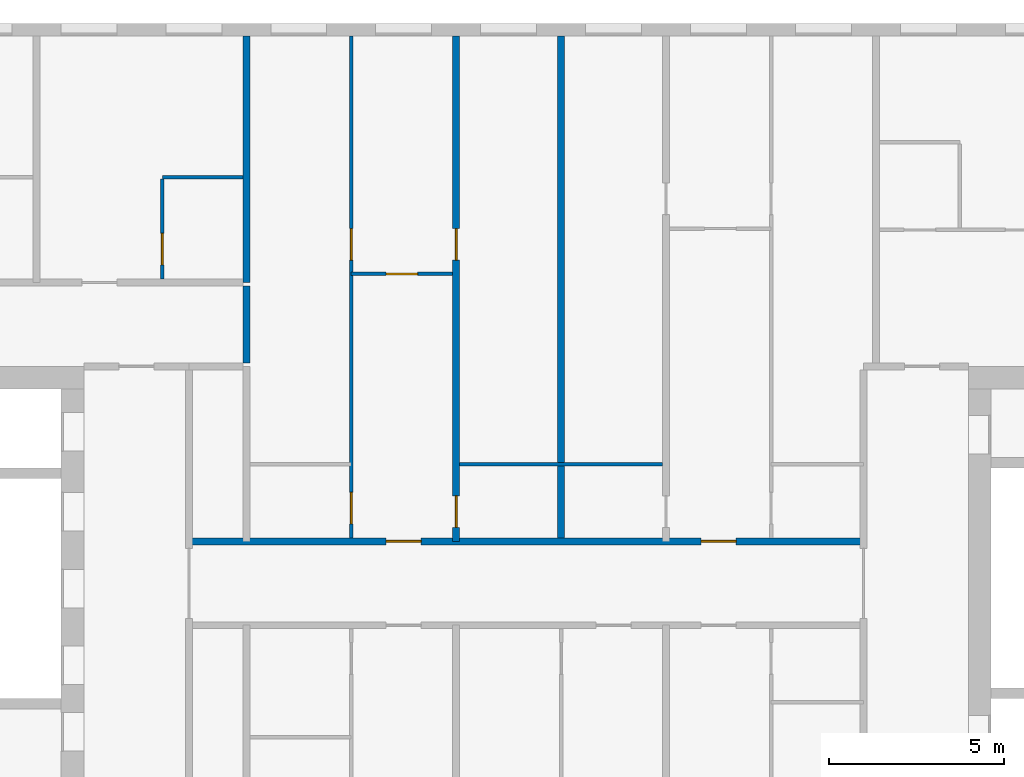
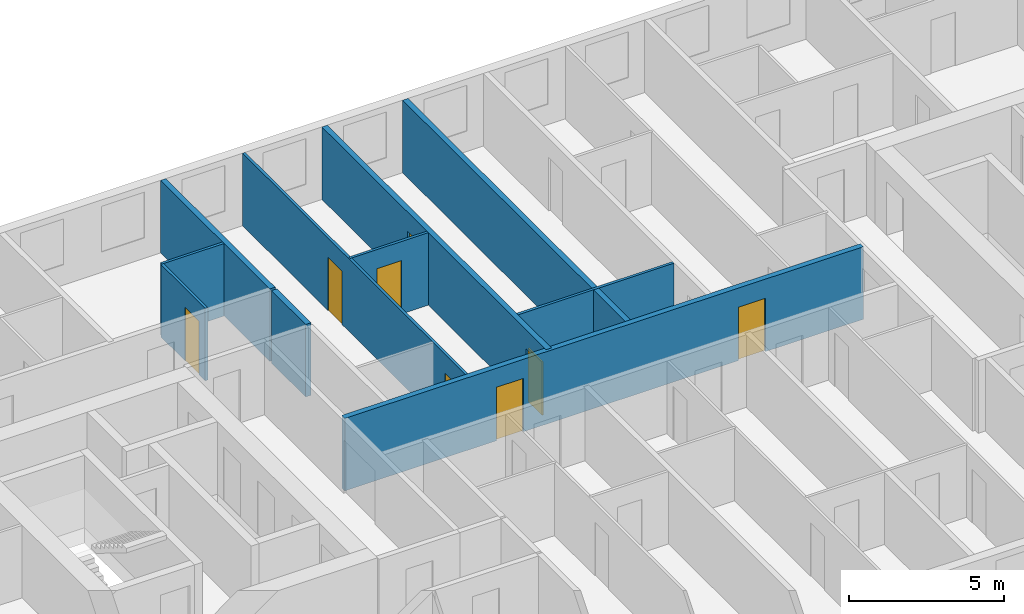
# One storey, part 5 of 16: 10 walls, 8 doors, 8 openings.
"""IFC4 building model written with IfcOpenShell, lengths in metres."""

from ifc_helpers import new_model, si_unit, direction, frame, frame_2d, origin, place, context, subcontext, project, spatial, rectangle, extrude, material, layer, layer_set, type_object, element, fill, save


model = new_model("IFC4")

# Units and contexts
model_context = context("Model", 3, precision=1e-05, world=origin(), true_north=direction((0.0, 1.0)))
body_context = subcontext(model_context, "Body", "Model", "MODEL_VIEW")
ifc_project = project(units=[si_unit("LENGTHUNIT", "METRE"), si_unit("AREAUNIT", "SQUARE_METRE"), si_unit("VOLUMEUNIT", "CUBIC_METRE"), si_unit("PLANEANGLEUNIT", "RADIAN"), si_unit("MASSUNIT", "GRAM", prefix="KILO")], contexts=[model_context])

# Site, building, storey
site_placement = place(None, origin())
site = spatial("IfcSite", under=ifc_project, at=site_placement, CompositionType="ELEMENT")
building_placement = place(site_placement, origin())
building = spatial("IfcBuilding", under=site, at=building_placement, Name="Tuart Gate Housing", CompositionType="ELEMENT")
storey_placement = place(building_placement, frame((0.0, 0.0, 96.39990234375)))
storey = spatial("IfcBuildingStorey", under=building, at=storey_placement, Name="L26", CompositionType="ELEMENT", Elevation=96.39990234375)

# Wall, openings, doors
ifc_material_1 = material(Name="Concrete masonry 15 MPa", Category="masonry")
ifc_layer_1 = layer(ifc_material_1, 0.199951171875)
ifc_layer_set_1 = layer_set([ifc_layer_1], Name="Corridor wall masonry 200")
wall_type_1 = type_object("IfcWallType", Name="Corridor wall masonry 200", PredefinedType="PARTITIONING", material=ifc_layer_set_1)
wall_1_placement = place(storey_placement, frame((44.360107421875, 71.199951171875, 0.0), z_axis=(0.0, 0.0, 1.0), x_axis=(1.0, 0.0, 0.0)))
wall_1 = element("IfcWall", 1, at=wall_1_placement, inside=storey, type_object=wall_type_1, Name="Corridor wall masonry 200", PredefinedType="PARTITIONING", context=body_context, shape_type="SweptSolid", body=[
    extrude(rectangle(XDim=19.27978515625, YDim=0.199951171875, at=frame_2d((9.639892578125, 0.0))), origin(), (0.0, 0.0, 1.0), 2.85009765625),
])
opening_1_placement = place(wall_1_placement, frame((14.639892578125, 0.0, 0.0)))
opening_1 = element("IfcOpeningElement", 2, at=opening_1_placement, cuts=wall_1, Name="Opening D1090", PredefinedType="OPENING", context=body_context, shape_type="SweptSolid", body=[
    extrude(rectangle(XDim=1.0, YDim=2.10009765625, at=frame_2d((0.5, 1.050048828125))), frame((0.0, 0.10986328125, 0.0), z_axis=(0.0, -1.0, 0.0), x_axis=(1.0, 0.0, 0.0)), (0.0, 0.0, 1.0), 0.219970703125),
])
opening_2_placement = place(wall_1_placement, frame((5.639892578125, 0.0, 0.0)))
opening_2 = element("IfcOpeningElement", 3, at=opening_2_placement, cuts=wall_1, Name="Opening D1091", PredefinedType="OPENING", context=body_context, shape_type="SweptSolid", body=[
    extrude(rectangle(XDim=1.0, YDim=2.10009765625, at=frame_2d((0.5, 1.050048828125))), frame((0.0, 0.10986328125, 0.0), z_axis=(0.0, -1.0, 0.0), x_axis=(1.0, 0.0, 0.0)), (0.0, 0.0, 1.0), 0.219970703125),
])
ifc_material_2 = material(Name="Timber door leaf in steel frame", Category="steel")
door_type_1 = type_object("IfcDoorType", Name="Flat entrance door 1000", OperationType="SINGLE_SWING_LEFT", PredefinedType="DOOR", material=ifc_material_2)
door_1_placement = place(opening_1_placement, origin())
door_1 = element("IfcDoor", 4, at=door_1_placement, inside=storey, type_object=door_type_1, Name="Flat entrance door", OperationType="SINGLE_SWING_LEFT", OverallHeight=2.10009765625, OverallWidth=1.0, PredefinedType="DOOR", context=body_context, shape_type="SweptSolid", body=[
    extrude(rectangle(XDim=1.0, YDim=2.10009765625, at=frame_2d((0.5, 1.050048828125))), frame((0.0, 0.02490234375, 0.0), z_axis=(0.0, -1.0, 0.0), x_axis=(1.0, 0.0, 0.0)), (0.0, 0.0, 1.0), 0.050048828125),
])
fill(opening_1, door_1)
door_2_placement = place(opening_2_placement, origin())
door_2 = element("IfcDoor", 5, at=door_2_placement, inside=storey, type_object=door_type_1, Name="Flat entrance door", OperationType="SINGLE_SWING_LEFT", OverallHeight=2.10009765625, OverallWidth=1.0, PredefinedType="DOOR", context=body_context, shape_type="SweptSolid", body=[
    extrude(rectangle(XDim=1.0, YDim=2.10009765625, at=frame_2d((0.5, 1.050048828125))), frame((0.0, 0.02490234375, 0.0), z_axis=(0.0, -1.0, 0.0), x_axis=(1.0, 0.0, 0.0)), (0.0, 0.0, 1.0), 0.050048828125),
])
fill(opening_2, door_2)

# Walls
wall_2_placement = place(storey_placement, frame((46.0, 76.300048828125, 0.0), z_axis=(0.0, 0.0, 1.0), x_axis=(0.0, 1.0, 0.0)))
element("IfcWall", 6, at=wall_2_placement, inside=storey, type_object=wall_type_1, Name="Corridor wall masonry 200", PredefinedType="PARTITIONING", context=body_context, shape_type="SweptSolid", body=[
    extrude(rectangle(XDim=2.199951171875, YDim=0.199951171875, at=frame_2d((1.10009765625, 0.0))), origin(), (0.0, 0.0, 1.0), 2.85009765625),
])
ifc_material_3 = material(Name="Gypsum board on steel studs", Category="steel")
ifc_layer_2 = layer(ifc_material_3, 0.10009765625)
ifc_layer_set_2 = layer_set([ifc_layer_2], Name="Partition 100")
wall_type_2 = type_object("IfcWallType", Name="Partition 100", PredefinedType="PARTITIONING", material=ifc_layer_set_2)
wall_3_placement = place(storey_placement, frame((52.10009765625, 73.39990234375, 0.0), z_axis=(0.0, 0.0, 1.0), x_axis=(1.0, 0.0, 0.0)))
element("IfcWall", 7, at=wall_3_placement, inside=storey, type_object=wall_type_2, Name="Partition 100", PredefinedType="PARTITIONING", context=body_context, shape_type="SweptSolid", body=[
    extrude(rectangle(XDim=5.7998046875, YDim=0.10009765625, at=frame_2d((2.89990234375, 0.0))), origin(), (0.0, 0.0, 1.0), 2.85009765625),
])

# Wall, opening, door
wall_4_placement = place(storey_placement, frame((49.0, 78.840087890625, 0.0), z_axis=(0.0, 0.0, 1.0), x_axis=(1.0, 0.0, 0.0)))
wall_4 = element("IfcWall", 8, at=wall_4_placement, inside=storey, type_object=wall_type_2, Name="Partition 100", PredefinedType="PARTITIONING", context=body_context, shape_type="SweptSolid", body=[
    extrude(rectangle(XDim=2.89990234375, YDim=0.10009765625, at=frame_2d((1.449951171875, 0.0))), origin(), (0.0, 0.0, 1.0), 2.85009765625),
])
opening_3_placement = place(wall_4_placement, frame((1.0, 0.0, 0.0)))
opening_3 = element("IfcOpeningElement", 9, at=opening_3_placement, cuts=wall_4, Name="Opening D1074", PredefinedType="OPENING", context=body_context, shape_type="SweptSolid", body=[
    extrude(rectangle(XDim=0.89990234375, YDim=2.10009765625, at=frame_2d((0.449951171875, 1.050048828125))), frame((0.0, 0.06005859375, 0.0), z_axis=(0.0, -1.0, 0.0), x_axis=(1.0, 0.0, 0.0)), (0.0, 0.0, 1.0), 0.1201171875),
])
ifc_material_4 = material(Name="Timber door leaf in steel frame", Category="steel")
door_type_2 = type_object("IfcDoorType", Name="Internal door 900 RH", OperationType="SINGLE_SWING_RIGHT", PredefinedType="DOOR", material=ifc_material_4)
door_3_placement = place(opening_3_placement, frame((0.89990234375, 0.0, 0.0), z_axis=(0.0, 0.0, 1.0), x_axis=(-1.0, 0.0, 0.0)))
door_3 = element("IfcDoor", 10, at=door_3_placement, inside=storey, type_object=door_type_2, Name="Internal door", OperationType="SINGLE_SWING_RIGHT", OverallHeight=2.10009765625, OverallWidth=0.89990234375, PredefinedType="DOOR", context=body_context, shape_type="SweptSolid", body=[
    extrude(rectangle(XDim=0.89990234375, YDim=2.10009765625, at=frame_2d((0.449951171875, 1.050048828125))), frame((0.0, 0.025146484375, 0.0), z_axis=(0.0, -1.0, 0.0), x_axis=(1.0, 0.0, 0.0)), (0.0, 0.0, 1.0), 0.050048828125),
])
fill(opening_3, door_3)

# Wall
wall_5_placement = place(storey_placement, frame((43.60009765625, 81.60009765625, 0.0), z_axis=(0.0, 0.0, 1.0), x_axis=(1.0, 0.0, 0.0)))
element("IfcWall", 11, at=wall_5_placement, inside=storey, type_object=wall_type_2, Name="Partition 100", PredefinedType="PARTITIONING", context=body_context, shape_type="SweptSolid", body=[
    extrude(rectangle(XDim=2.2998046875, YDim=0.10009765625, at=frame_2d((1.14990234375, 0.0))), origin(), (0.0, 0.0, 1.0), 2.85009765625),
])

# Wall, opening, door
wall_6_placement = place(storey_placement, frame((43.60009765625, 78.699951171875, 0.0), z_axis=(0.0, 0.0, 1.0), x_axis=(0.0, 1.0, 0.0)))
wall_6 = element("IfcWall", 12, at=wall_6_placement, inside=storey, type_object=wall_type_2, Name="Partition 100", PredefinedType="PARTITIONING", context=body_context, shape_type="SweptSolid", body=[
    extrude(rectangle(XDim=2.85009765625, YDim=0.10009765625, at=frame_2d((1.425048828125, 0.0))), origin(), (0.0, 0.0, 1.0), 2.85009765625),
])
opening_4_placement = place(wall_6_placement, frame((0.39990234375, 0.0, 0.0)))
opening_4 = element("IfcOpeningElement", 13, at=opening_4_placement, cuts=wall_6, Name="Opening D1071", PredefinedType="OPENING", context=body_context, shape_type="SweptSolid", body=[
    extrude(rectangle(XDim=0.89990234375, YDim=2.10009765625, at=frame_2d((0.449951171875, 1.050048828125))), frame((0.0, 0.06005859375, 0.0), z_axis=(0.0, -1.0, 0.0), x_axis=(1.0, 0.0, 0.0)), (0.0, 0.0, 1.0), 0.1201171875),
])
ifc_material_5 = material(Name="Timber door leaf in steel frame", Category="steel")
door_type_3 = type_object("IfcDoorType", Name="Bathroom door 900 RH", OperationType="SINGLE_SWING_RIGHT", PredefinedType="DOOR", material=ifc_material_5)
door_4_placement = place(opening_4_placement, frame((0.89990234375, 0.0, 0.0), z_axis=(0.0, 0.0, 1.0), x_axis=(-1.0, 0.0, 0.0)))
door_4 = element("IfcDoor", 14, at=door_4_placement, inside=storey, type_object=door_type_3, Name="Bathroom door", OperationType="SINGLE_SWING_RIGHT", OverallHeight=2.10009765625, OverallWidth=0.89990234375, PredefinedType="DOOR", context=body_context, shape_type="SweptSolid", body=[
    extrude(rectangle(XDim=0.89990234375, YDim=2.10009765625, at=frame_2d((0.449951171875, 1.050048828125))), frame((0.0, 0.025146484375, 0.0), z_axis=(0.0, -1.0, 0.0), x_axis=(1.0, 0.0, 0.0)), (0.0, 0.0, 1.0), 0.050048828125),
])
fill(opening_4, door_4)

# Wall, openings, doors
wall_7_placement = place(storey_placement, frame((49.0, 71.300048828125, 0.0), z_axis=(0.0, 0.0, 1.0), x_axis=(0.0, 1.0, 0.0)))
wall_7 = element("IfcWall", 15, at=wall_7_placement, inside=storey, type_object=wall_type_2, Name="Partition 100", PredefinedType="PARTITIONING", context=body_context, shape_type="SweptSolid", body=[
    extrude(rectangle(XDim=14.33984375, YDim=0.10009765625, at=frame_2d((7.169921875, 0.0))), origin(), (0.0, 0.0, 1.0), 2.85009765625),
])
opening_5_placement = place(wall_7_placement, frame((7.93994140625, 0.0, 0.0)))
opening_5 = element("IfcOpeningElement", 16, at=opening_5_placement, cuts=wall_7, Name="Opening D1079", PredefinedType="OPENING", context=body_context, shape_type="SweptSolid", body=[
    extrude(rectangle(XDim=0.89990234375, YDim=2.10009765625, at=frame_2d((0.449951171875, 1.050048828125))), frame((0.0, 0.06005859375, 0.0), z_axis=(0.0, -1.0, 0.0), x_axis=(1.0, 0.0, 0.0)), (0.0, 0.0, 1.0), 0.1201171875),
])
opening_6_placement = place(wall_7_placement, frame((0.39990234375, 0.0, 0.0)))
opening_6 = element("IfcOpeningElement", 17, at=opening_6_placement, cuts=wall_7, Name="Opening D1078", PredefinedType="OPENING", context=body_context, shape_type="SweptSolid", body=[
    extrude(rectangle(XDim=0.89990234375, YDim=2.10009765625, at=frame_2d((0.449951171875, 1.050048828125))), frame((0.0, 0.06005859375, 0.0), z_axis=(0.0, -1.0, 0.0), x_axis=(1.0, 0.0, 0.0)), (0.0, 0.0, 1.0), 0.1201171875),
])
ifc_material_6 = material(Name="Timber door leaf in steel frame", Category="steel")
door_type_4 = type_object("IfcDoorType", Name="Bathroom door 900", OperationType="SINGLE_SWING_LEFT", PredefinedType="DOOR", material=ifc_material_6)
door_5_placement = place(opening_6_placement, origin())
door_5 = element("IfcDoor", 18, at=door_5_placement, inside=storey, type_object=door_type_4, Name="Bathroom door", OperationType="SINGLE_SWING_LEFT", OverallHeight=2.10009765625, OverallWidth=0.89990234375, PredefinedType="DOOR", context=body_context, shape_type="SweptSolid", body=[
    extrude(rectangle(XDim=0.89990234375, YDim=2.10009765625, at=frame_2d((0.449951171875, 1.050048828125))), frame((0.0, 0.02490234375, 0.0), z_axis=(0.0, -1.0, 0.0), x_axis=(1.0, 0.0, 0.0)), (0.0, 0.0, 1.0), 0.050048828125),
])
fill(opening_6, door_5)
door_6_placement = place(opening_5_placement, origin())
door_6 = element("IfcDoor", 19, at=door_6_placement, inside=storey, type_object=door_type_2, Name="Internal door", OperationType="SINGLE_SWING_RIGHT", OverallHeight=2.10009765625, OverallWidth=0.89990234375, PredefinedType="DOOR", context=body_context, shape_type="SweptSolid", body=[
    extrude(rectangle(XDim=0.89990234375, YDim=2.10009765625, at=frame_2d((0.449951171875, 1.050048828125))), frame((0.0, 0.02490234375, 0.0), z_axis=(0.0, -1.0, 0.0), x_axis=(1.0, 0.0, 0.0)), (0.0, 0.0, 1.0), 0.050048828125),
])
fill(opening_5, door_6)

# Wall
ifc_material_7 = material(Name="Concrete C40", Category="concrete")
ifc_layer_3 = layer(ifc_material_7, 0.199951171875)
ifc_layer_set_3 = layer_set([ifc_layer_3], Name="Party wall concrete C40 200")
wall_type_3 = type_object("IfcWallType", Name="Party wall concrete C40 200", PredefinedType="SOLIDWALL", material=ifc_layer_set_3)
wall_8_placement = place(storey_placement, frame((46.0, 78.60009765625, 0.0), z_axis=(0.0, 0.0, 1.0), x_axis=(0.0, 1.0, 0.0)))
element("IfcWall", 20, at=wall_8_placement, inside=storey, type_object=wall_type_3, Name="Party wall concrete C40 200", PredefinedType="SOLIDWALL", context=body_context, shape_type="SweptSolid", body=[
    extrude(rectangle(XDim=7.039794921875, YDim=0.199951171875, at=frame_2d((3.52001953125, 0.0))), origin(), (0.0, 0.0, 1.0), 2.85009765625),
])

# Wall, openings, doors
wall_9_placement = place(storey_placement, frame((52.0, 71.199951171875, 0.0), z_axis=(0.0, 0.0, 1.0), x_axis=(0.0, 1.0, 0.0)))
wall_9 = element("IfcWall", 21, at=wall_9_placement, inside=storey, type_object=wall_type_3, Name="Party wall concrete C40 200", PredefinedType="SOLIDWALL", context=body_context, shape_type="SweptSolid", body=[
    extrude(rectangle(XDim=14.43994140625, YDim=0.199951171875, at=frame_2d((7.219970703125, 0.0))), origin(), (0.0, 0.0, 1.0), 2.85009765625),
])
opening_7_placement = place(wall_9_placement, frame((8.0400390625, 0.0, 0.0)))
opening_7 = element("IfcOpeningElement", 22, at=opening_7_placement, cuts=wall_9, Name="Opening D1083", PredefinedType="OPENING", context=body_context, shape_type="SweptSolid", body=[
    extrude(rectangle(XDim=0.89990234375, YDim=2.10009765625, at=frame_2d((0.449951171875, 1.050048828125))), frame((0.0, 0.10986328125, 0.0), z_axis=(0.0, -1.0, 0.0), x_axis=(1.0, 0.0, 0.0)), (0.0, 0.0, 1.0), 0.219970703125),
])
opening_8_placement = place(wall_9_placement, frame((0.39990234375, 0.0, 0.0)))
opening_8 = element("IfcOpeningElement", 23, at=opening_8_placement, cuts=wall_9, Name="Opening D1082", PredefinedType="OPENING", context=body_context, shape_type="SweptSolid", body=[
    extrude(rectangle(XDim=0.89990234375, YDim=2.10009765625, at=frame_2d((0.449951171875, 1.050048828125))), frame((0.0, 0.10986328125, 0.0), z_axis=(0.0, -1.0, 0.0), x_axis=(1.0, 0.0, 0.0)), (0.0, 0.0, 1.0), 0.219970703125),
])
door_7_placement = place(opening_8_placement, frame((0.89990234375, 0.0, 0.0), z_axis=(0.0, 0.0, 1.0), x_axis=(-1.0, 0.0, 0.0)))
door_7 = element("IfcDoor", 24, at=door_7_placement, inside=storey, type_object=door_type_3, Name="Bathroom door", OperationType="SINGLE_SWING_RIGHT", OverallHeight=2.10009765625, OverallWidth=0.89990234375, PredefinedType="DOOR", context=body_context, shape_type="SweptSolid", body=[
    extrude(rectangle(XDim=0.89990234375, YDim=2.10009765625, at=frame_2d((0.449951171875, 1.050048828125))), frame((0.0, 0.025146484375, 0.0), z_axis=(0.0, -1.0, 0.0), x_axis=(1.0, 0.0, 0.0)), (0.0, 0.0, 1.0), 0.050048828125),
])
fill(opening_8, door_7)
ifc_material_8 = material(Name="Timber door leaf in steel frame", Category="steel")
door_type_5 = type_object("IfcDoorType", Name="Internal door 900", OperationType="SINGLE_SWING_LEFT", PredefinedType="DOOR", material=ifc_material_8)
door_8_placement = place(opening_7_placement, frame((0.89990234375, 0.0, 0.0), z_axis=(0.0, 0.0, 1.0), x_axis=(-1.0, 0.0, 0.0)))
door_8 = element("IfcDoor", 25, at=door_8_placement, inside=storey, type_object=door_type_5, Name="Internal door", OperationType="SINGLE_SWING_LEFT", OverallHeight=2.10009765625, OverallWidth=0.89990234375, PredefinedType="DOOR", context=body_context, shape_type="SweptSolid", body=[
    extrude(rectangle(XDim=0.89990234375, YDim=2.10009765625, at=frame_2d((0.449951171875, 1.050048828125))), frame((0.0, 0.025146484375, 0.0), z_axis=(0.0, -1.0, 0.0), x_axis=(1.0, 0.0, 0.0)), (0.0, 0.0, 1.0), 0.050048828125),
])
fill(opening_7, door_8)

# Wall
ifc_material_9 = material(Name="Concrete masonry 15 MPa", Category="masonry")
ifc_layer_4 = layer(ifc_material_9, 0.199951171875)
ifc_layer_set_4 = layer_set([ifc_layer_4], Name="Party wall masonry 200")
wall_type_4 = type_object("IfcWallType", Name="Party wall masonry 200", PredefinedType="PARTITIONING", material=ifc_layer_set_4)
wall_10_placement = place(storey_placement, frame((55.0, 71.300048828125, 0.0), z_axis=(0.0, 0.0, 1.0), x_axis=(0.0, 1.0, 0.0)))
element("IfcWall", 26, at=wall_10_placement, inside=storey, type_object=wall_type_4, Name="Party wall masonry 200", PredefinedType="PARTITIONING", context=body_context, shape_type="SweptSolid", body=[
    extrude(rectangle(XDim=14.33984375, YDim=0.199951171875, at=frame_2d((7.169921875, 0.0))), origin(), (0.0, 0.0, 1.0), 2.85009765625),
])

save(model, "model.ifc")
